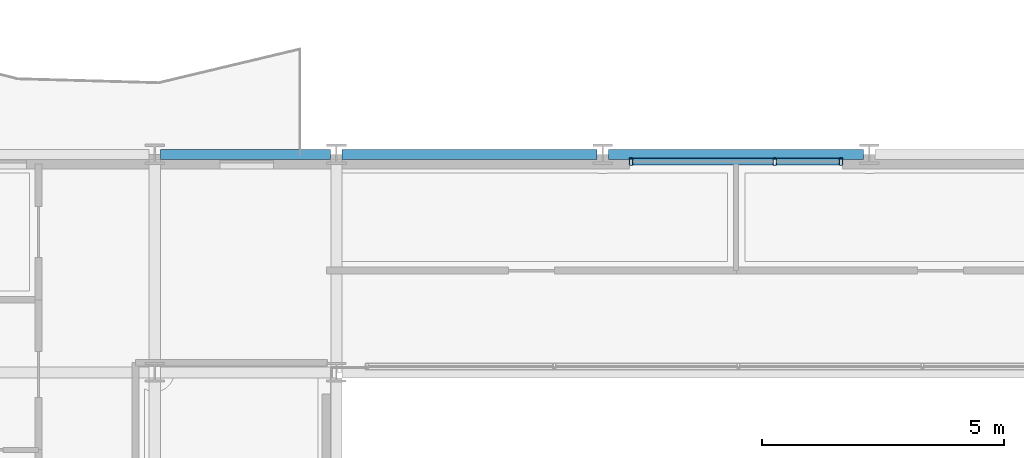
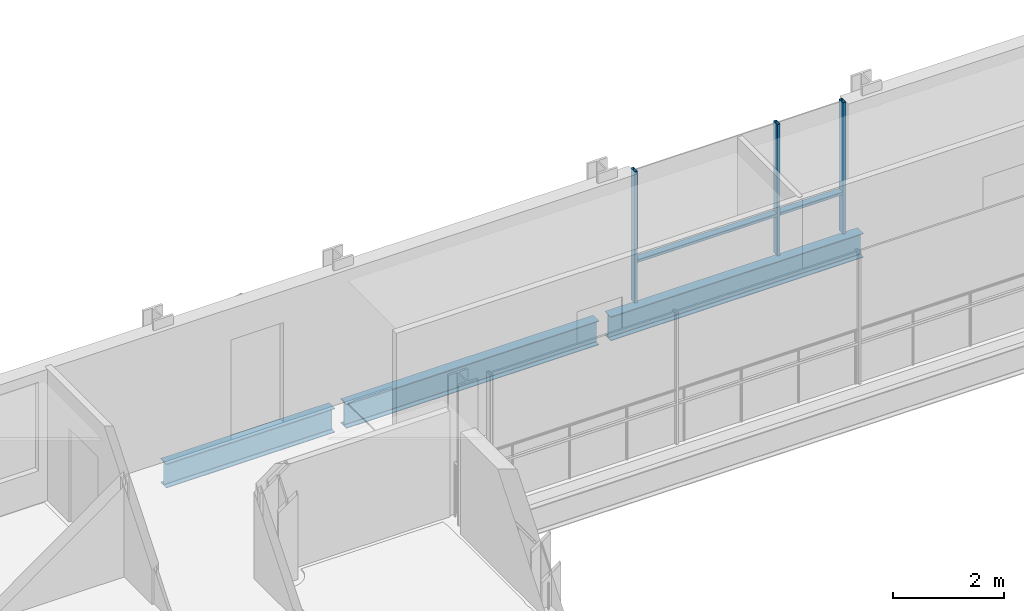
# One storey, part 24 of 41: 5 members, 3 beams, 1 element without a shape of its own.
"""IFC4 building model written with IfcOpenShell, lengths in metres."""

from ifc_helpers import new_model, si_unit, direction, frame, origin, origin_2d, place, context, subcontext, project, spatial, hollow_rectangle, i_section, extrude, material, layer, layer_set, material_profile, profile_set, type_object, element, aggregate, save


model = new_model("IFC4")

# Units and contexts
model_context = context("Model", 3, precision=1e-05, world=origin(), true_north=direction((0.0, 1.0)))
body_context = subcontext(model_context, "Body", "Model", "MODEL_VIEW")
ifc_project = project(units=[si_unit("LENGTHUNIT", "METRE"), si_unit("AREAUNIT", "SQUARE_METRE"), si_unit("VOLUMEUNIT", "CUBIC_METRE"), si_unit("PLANEANGLEUNIT", "RADIAN"), si_unit("MASSUNIT", "GRAM", prefix="KILO")], contexts=[model_context])

# Site, building, storey
site_placement = place(None, origin())
site = spatial("IfcSite", under=ifc_project, at=site_placement, CompositionType="ELEMENT")
building_placement = place(site_placement, origin())
building = spatial("IfcBuilding", under=site, at=building_placement, Name="Brevholm Reach", CompositionType="ELEMENT")
storey_placement = place(building_placement, frame((0.0, 0.0, 169.699951171875)))
storey = spatial("IfcBuildingStorey", under=building, at=storey_placement, Name="L51", CompositionType="ELEMENT", Elevation=169.699951171875)

# Beams
ifc_material_1 = material(Name="Structural Steel S355J2", Category="steel")
ifc_material_profile_1 = material_profile(ifc_material_1, i_section(OverallWidth=0.209228515625, OverallDepth=0.533203125, WebThickness=0.010009765625, FlangeThickness=0.015625, FilletRadius=0.0126953125, at=origin_2d()), Name="UKB 533x210x92")
ifc_profile_set_1 = profile_set([ifc_material_profile_1], Name="Structural Steel S355J2")
beam_type = type_object("IfcBeamType", Name="BM-SP533", PredefinedType="SPANDREL", material=ifc_profile_set_1)
beam_placement = place(storey_placement, frame((18.1201171875, 31.0, -0.486572265625), z_axis=(1.0, 0.0, 0.0), x_axis=(0.0, 1.0, 0.0)))
element("IfcBeam", 1, at=beam_placement, inside=storey, type_object=beam_type, Name="L51 SP-02 Framing Beam", PredefinedType="SPANDREL", context=body_context, shape_type="SweptSolid", body=[
    extrude(i_section(OverallWidth=0.209228515625, OverallDepth=0.533203125, WebThickness=0.010009765625, FlangeThickness=0.015625, FilletRadius=0.0126953125, at=origin_2d()), origin(), (0.0, 0.0, 1.0), 3.509765625),
])
for number, where, z_axis, x_axis, name in (
    (2, (21.8701171875, 31.0, -0.486572265625), (1.0, 0.0, 0.0), (0.0, 1.0, 0.0), "L51 SP-02 Framing Beam"),
    (3, (27.3701171875, 31.0, -0.486572265625), (1.0, 0.0, 0.0), (0.0, 1.0, 0.0), "L51 SP-02 Framing Beam"),
):
    element("IfcBeam", number, at=place(storey_placement, frame(where, z_axis=z_axis, x_axis=x_axis)), inside=storey, type_object=beam_type, Name=name, PredefinedType="SPANDREL", context=body_context, shape_type="SweptSolid", body=[
        extrude(i_section(OverallWidth=0.209228515625, OverallDepth=0.533203125, WebThickness=0.010009765625, FlangeThickness=0.015625, FilletRadius=0.0126953125, at=origin_2d()), origin(), (0.0, 0.0, 1.0), 5.259765625),
    ])

# Curtain wall, members
ifc_material_2 = material(Name="Dark Anodised Aluminium 6063-T6 and Solar-Control Glass", Category="aluminium")
ifc_layer = layer(ifc_material_2, 0.14990234375)
ifc_layer_set = layer_set([ifc_layer], Name="Dark Anodised Aluminium 6063-T6 and Solar-Control Glass")
curtain_wall_type = type_object("IfcCurtainWallType", Name="CW-01", PredefinedType="NOTDEFINED", material=ifc_layer_set)
curtain_wall_placement = place(storey_placement, origin())
curtain_wall = element("IfcCurtainWall", 4, at=curtain_wall_placement, inside=storey, type_object=curtain_wall_type, Name="L51 Curtain Wall CW-01", PredefinedType="NOTDEFINED")
ifc_material_3 = material(Name="Dark Anodised Aluminium 6063-T6", Category="aluminium")
ifc_material_profile_2 = material_profile(ifc_material_3, hollow_rectangle(XDim=0.06494140625, YDim=0.14990234375, WallThickness=0.0048828125, InnerFilletRadius=0.0048828125, OuterFilletRadius=0.010009765625, at=origin_2d()), Name="RHS 150x65x5")
ifc_profile_set_2 = profile_set([ifc_material_profile_2], Name="Dark Anodised Aluminium 6063-T6")
member_type_1 = type_object("IfcMemberType", Name="CWM-150", PredefinedType="MULLION", material=ifc_profile_set_2)
member_1_placement = place(storey_placement, frame((27.83251953125, 30.85009765625, 0.0), z_axis=(0.0, 0.0, 1.0), x_axis=(1.0, 0.0, 0.0)))
member_1 = element("IfcMember", 5, at=member_1_placement, type_object=member_type_1, Name="CM-150 Mullion 1", PredefinedType="MULLION", context=body_context, shape_type="SweptSolid", body=[
    extrude(hollow_rectangle(XDim=0.06494140625, YDim=0.14990234375, WallThickness=0.0048828125, InnerFilletRadius=0.0048828125, OuterFilletRadius=0.010009765625, at=origin_2d()), origin(), (0.0, 0.0, 1.0), 2.89013671875),
])
member_2_placement = place(storey_placement, frame((30.800048828125, 30.85009765625, 0.0), z_axis=(0.0, 0.0, 1.0), x_axis=(1.0, 0.0, 0.0)))
member_2 = element("IfcMember", 6, at=member_2_placement, type_object=member_type_1, Name="CM-150 Mullion 2", PredefinedType="MULLION", context=body_context, shape_type="SweptSolid", body=[
    extrude(hollow_rectangle(XDim=0.06494140625, YDim=0.14990234375, WallThickness=0.0048828125, InnerFilletRadius=0.0048828125, OuterFilletRadius=0.010009765625, at=origin_2d()), origin(), (0.0, 0.0, 1.0), 2.89013671875),
])
member_3_placement = place(storey_placement, frame((32.16748046875, 30.85009765625, 0.0), z_axis=(0.0, 0.0, 1.0), x_axis=(1.0, 0.0, 0.0)))
member_3 = element("IfcMember", 7, at=member_3_placement, type_object=member_type_1, Name="CM-150 Mullion 3", PredefinedType="MULLION", context=body_context, shape_type="SweptSolid", body=[
    extrude(hollow_rectangle(XDim=0.06494140625, YDim=0.14990234375, WallThickness=0.0048828125, InnerFilletRadius=0.0048828125, OuterFilletRadius=0.010009765625, at=origin_2d()), origin(), (0.0, 0.0, 1.0), 2.89013671875),
])
ifc_material_4 = material(Name="Dark Anodised Aluminium 6063-T6", Category="aluminium")
ifc_material_profile_3 = material_profile(ifc_material_4, hollow_rectangle(XDim=0.06494140625, YDim=0.14990234375, WallThickness=0.0048828125, InnerFilletRadius=0.0048828125, OuterFilletRadius=0.010009765625, at=origin_2d()), Name="RHS 150x65x5")
ifc_profile_set_3 = profile_set([ifc_material_profile_3], Name="Dark Anodised Aluminium 6063-T6")
member_type_2 = type_object("IfcMemberType", Name="CWT-150", PredefinedType="NOTDEFINED", material=ifc_profile_set_3)
member_4_placement = place(storey_placement, frame((27.864990234375, 30.85009765625, 0.900146484375), z_axis=(1.0, 0.0, 0.0), x_axis=(0.0, 0.0, 1.0)))
member_4 = element("IfcMember", 8, at=member_4_placement, type_object=member_type_2, Name="CT-150 Transom 1.1", ObjectType="TRANSOM", PredefinedType="USERDEFINED", context=body_context, shape_type="SweptSolid", body=[
    extrude(hollow_rectangle(XDim=0.06494140625, YDim=0.14990234375, WallThickness=0.0048828125, InnerFilletRadius=0.0048828125, OuterFilletRadius=0.010009765625, at=origin_2d()), origin(), (0.0, 0.0, 1.0), 2.902587890625),
])
member_5_placement = place(storey_placement, frame((30.83251953125, 30.85009765625, 0.900146484375), z_axis=(1.0, 0.0, 0.0), x_axis=(0.0, 0.0, 1.0)))
member_5 = element("IfcMember", 9, at=member_5_placement, type_object=member_type_2, Name="CT-150 Transom 2.1", ObjectType="TRANSOM", PredefinedType="USERDEFINED", context=body_context, shape_type="SweptSolid", body=[
    extrude(hollow_rectangle(XDim=0.06494140625, YDim=0.14990234375, WallThickness=0.0048828125, InnerFilletRadius=0.0048828125, OuterFilletRadius=0.010009765625, at=origin_2d()), origin(), (0.0, 0.0, 1.0), 1.302490234375),
])
aggregate(curtain_wall, [member_1, member_2, member_3, member_4, member_5])

save(model, "model.ifc")
